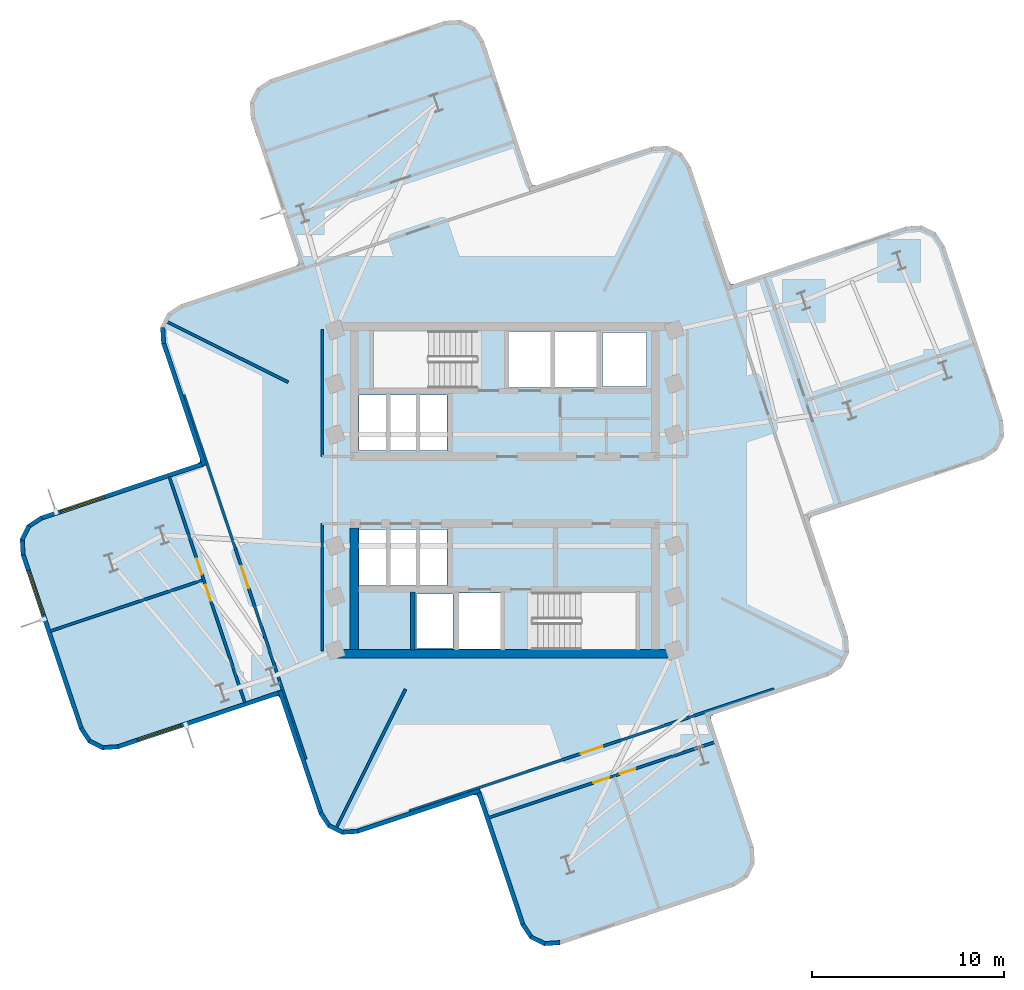
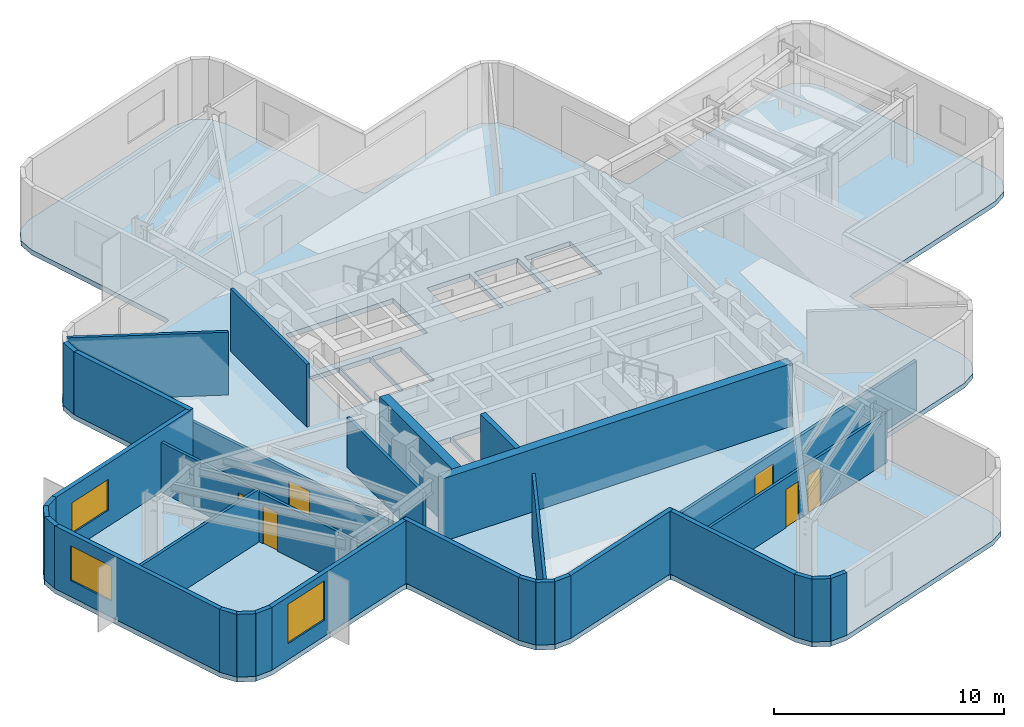
# One storey, part 2 of 8: 32 walls, 6 doors, 3 windows, 1 slab, 9 openings.
"""IFC4 building model written with IfcOpenShell, lengths in metres."""

from ifc_helpers import new_model, si_unit, direction, frame, frame_2d, origin, place, context, subcontext, project, spatial, polyline, rectangle, outline, extrude, material, layer, layer_set, type_object, element, fill, save


model = new_model("IFC4")

# Units and contexts
model_context = context("Model", 3, precision=1e-05, world=origin(), true_north=direction((0.0, 1.0)))
body_context = subcontext(model_context, "Body", "Model", "MODEL_VIEW")
ifc_project = project(units=[si_unit("LENGTHUNIT", "METRE"), si_unit("AREAUNIT", "SQUARE_METRE"), si_unit("VOLUMEUNIT", "CUBIC_METRE"), si_unit("PLANEANGLEUNIT", "RADIAN"), si_unit("MASSUNIT", "GRAM", prefix="KILO")], contexts=[model_context])

# Site, building, storey
site_placement = place(None, origin())
site = spatial("IfcSite", under=ifc_project, at=site_placement, CompositionType="ELEMENT")
building_placement = place(site_placement, origin())
building = spatial("IfcBuilding", under=site, at=building_placement, Name="Solmarez Civic Tower", CompositionType="ELEMENT")
storey_placement = place(building_placement, frame((0.0, 0.0, 159.47998046875)))
storey = spatial("IfcBuildingStorey", under=building, at=storey_placement, Name="L42", CompositionType="ELEMENT", Elevation=159.47998046875)

# Slab
ifc_material_1 = material(Name="Concrete C50/60", Category="concrete")
ifc_layer_1 = layer(ifc_material_1, 0.260009765625)
ifc_layer_set_1 = layer_set([ifc_layer_1], Name="Concrete C50/60")
slab_type = type_object("IfcSlabType", Name="SLAB-TOWER-260", PredefinedType="FLOOR", material=ifc_layer_set_1)
slab_placement = place(storey_placement, frame((0.0, 0.0, -0.260009765625)))
element("IfcSlab", 1, at=slab_placement, inside=storey, type_object=slab_type, Name="L42 Structural Slab", PredefinedType="FLOOR", context=body_context, shape_type="SweptSolid", body=[
    extrude(outline(polyline([(-11.700927734375, -10.885986328125), (-9.68896484375, -16.89794921875), (-9.23193359375, -17.587890625), (-8.490966796875, -17.9580078125), (-7.6640625, -17.906982421875), (-1.652099609375, -15.89599609375), (-1.48095703125, -15.885009765625), (-1.385986328125, -16.029052734375), (0.847900390625, -22.7041015625), (1.304931640625, -23.39501953125), (2.0458984375, -23.763916015625), (2.873046875, -23.714111328125), (11.97705078125, -20.66796875), (12.66796875, -20.2109375), (13.037109375, -19.468994140625), (12.987060546875, -18.64306640625), (10.7529296875, -11.967041015625), (10.741943359375, -11.794921875), (10.885986328125, -11.700927734375), (16.89794921875, -9.68896484375), (17.587890625, -9.23193359375), (17.9580078125, -8.490966796875), (17.906982421875, -7.6640625), (15.89599609375, -1.652099609375), (15.885009765625, -1.48095703125), (16.029052734375, -1.385986328125), (24.97998046875, 1.610107421875), (25.6708984375, 2.06689453125), (26.0400390625, 2.80810546875), (25.989990234375, 3.635009765625), (22.944091796875, 12.738037109375), (22.487060546875, 13.428955078125), (21.7451171875, 13.799072265625), (20.9189453125, 13.748046875), (11.967041015625, 10.7529296875), (11.794921875, 10.741943359375), (11.700927734375, 10.885986328125), (9.68896484375, 16.89794921875), (9.23193359375, 17.587890625), (8.490966796875, 17.9580078125), (7.6640625, 17.906982421875), (1.652099609375, 15.89599609375), (1.48095703125, 15.885009765625), (1.385986328125, 16.029052734375), (-1.10205078125, 23.462890625), (-1.55908203125, 24.154052734375), (-2.300048828125, 24.52294921875), (-3.126953125, 24.471923828125), (-12.23095703125, 21.426025390625), (-12.9208984375, 20.968994140625), (-13.291015625, 20.22802734375), (-13.239990234375, 19.40087890625), (-10.7529296875, 11.967041015625), (-10.741943359375, 11.794921875), (-10.885986328125, 11.700927734375), (-16.89794921875, 9.68896484375), (-17.587890625, 9.23193359375), (-17.9580078125, 8.490966796875), (-17.906982421875, 7.6640625), (-15.89599609375, 1.652099609375), (-15.885009765625, 1.48095703125), (-16.029052734375, 1.385986328125), (-24.221923828125, -1.35595703125), (-24.912109375, -1.81298828125), (-25.281982421875, -2.553955078125), (-25.23095703125, -3.381103515625), (-22.18505859375, -12.485107421875), (-21.72802734375, -13.175048828125), (-20.987060546875, -13.544921875), (-20.159912109375, -13.493896484375), (-11.967041015625, -10.7529296875), (-11.794921875, -10.741943359375), (-11.700927734375, -10.885986328125)]), holes=[polyline([(-1.449951171875, 8.320068359375), (-6.85009765625, 8.320068359375), (-6.85009765625, 5.320068359375), (-1.449951171875, 5.320068359375), (-1.449951171875, 8.320068359375)]), polyline([(1.449951171875, -8.320068359375), (6.85009765625, -8.320068359375), (6.85009765625, -5.320068359375), (1.449951171875, -5.320068359375), (1.449951171875, -8.320068359375)]), polyline([(0.219970703125, 5.360107421875), (2.3798828125, 5.360107421875), (2.3798828125, 8.280029296875), (0.219970703125, 8.280029296875), (0.219970703125, 5.360107421875)]), polyline([(2.6201171875, 5.360107421875), (4.780029296875, 5.360107421875), (4.780029296875, 8.280029296875), (2.6201171875, 8.280029296875), (2.6201171875, 5.360107421875)]), polyline([(-2.3798828125, -8.280029296875), (-0.219970703125, -8.280029296875), (-0.219970703125, -5.360107421875), (-2.3798828125, -5.360107421875), (-2.3798828125, -8.280029296875)]), polyline([(-7.60009765625, -4.9599609375), (-6.1201171875, -4.9599609375), (-6.1201171875, -2.06005859375), (-7.60009765625, -2.06005859375), (-7.60009765625, -4.9599609375)]), polyline([(-6.0400390625, -4.9599609375), (-4.56005859375, -4.9599609375), (-4.56005859375, -2.06005859375), (-6.0400390625, -2.06005859375), (-6.0400390625, -4.9599609375)]), polyline([(-4.47998046875, -4.9599609375), (-3.0, -4.9599609375), (-3.0, -2.06005859375), (-4.47998046875, -2.06005859375), (-4.47998046875, -4.9599609375)]), polyline([(-7.60009765625, 2.06005859375), (-6.1201171875, 2.06005859375), (-6.1201171875, 4.9599609375), (-7.60009765625, 4.9599609375), (-7.60009765625, 2.06005859375)]), polyline([(-6.0400390625, 2.06005859375), (-4.56005859375, 2.06005859375), (-4.56005859375, 4.9599609375), (-6.0400390625, 4.9599609375), (-6.0400390625, 2.06005859375)]), polyline([(-4.47998046875, 2.06005859375), (-3.0, 2.06005859375), (-3.0, 4.9599609375), (-4.47998046875, 4.9599609375), (-4.47998046875, 2.06005859375)]), polyline([(5.10009765625, 5.419921875), (7.39990234375, 5.419921875), (7.39990234375, 8.219970703125), (5.10009765625, 8.219970703125), (5.10009765625, 5.419921875)]), polyline([(-4.60009765625, -8.219970703125), (-2.699951171875, -8.219970703125), (-2.699951171875, -5.419921875), (-4.60009765625, -5.419921875), (-4.60009765625, -8.219970703125)])]), origin(), (0.0, 0.0, 1.0), 0.260009765625),
])

# Walls
ifc_layer_2 = layer(ifc_material_1, 0.449951171875)
ifc_layer_set_2 = layer_set([ifc_layer_2], Name="Concrete C50/60")
wall_type_1 = type_object("IfcWallType", Name="WALL-CORE-450", PredefinedType="SHEAR", material=ifc_layer_set_2)
wall_1_placement = place(storey_placement, frame((8.780029296875, -8.534912109375, 0.0), z_axis=(0.0, 0.0, 1.0), x_axis=(-1.0, 0.0, 0.0)))
element("IfcWall", 2, at=wall_1_placement, inside=storey, type_object=wall_type_1, Name="L42 Split-Core Structural Wall SCW-S-L42", PredefinedType="SHEAR", context=body_context, shape_type="SweptSolid", body=[
    extrude(rectangle(XDim=17.56005859375, YDim=0.449951171875, at=frame_2d((8.780029296875, 0.0))), origin(), (0.0, 0.0, 1.0), 3.340087890625),
])
wall_2_placement = place(storey_placement, frame((-7.844970703125, -8.31005859375, 0.0), z_axis=(0.0, 0.0, 1.0), x_axis=(0.0, 1.0, 0.0)))
element("IfcWall", 3, at=wall_2_placement, inside=storey, type_object=wall_type_1, Name="L42 Split-Core Structural Wall SCW-W-L42", PredefinedType="SHEAR", context=body_context, shape_type="SweptSolid", body=[
    extrude(rectangle(XDim=6.3349609375, YDim=0.449951171875, at=frame_2d((3.16748046875, 0.0))), origin(), (0.0, 0.0, 1.0), 3.340087890625),
])

# Wall, opening, window
ifc_material_2 = material(Name="Precast concrete C40/50", Category="concrete")
ifc_layer_3 = layer(ifc_material_2, 0.219970703125)
ifc_layer_set_3 = layer_set([ifc_layer_3], Name="Precast concrete C40/50")
wall_type_2 = type_object("IfcWallType", Name="WALL-EXT-220", PredefinedType="SOLIDWALL", material=ifc_layer_set_3)
wall_3_placement = place(storey_placement, frame((-11.614990234375, -10.51904296875, 0.0), z_axis=(0.0, 0.0, 1.0), x_axis=(-0.948329626758, -0.317286808759, 0.0)))
wall_3 = element("IfcWall", 4, at=wall_3_placement, inside=storey, type_object=wall_type_2, Name="L42 Exterior Precast Wall 2", PredefinedType="SOLIDWALL", context=body_context, shape_type="SweptSolid", body=[
    extrude(rectangle(XDim=9.05810546875, YDim=0.219970703125, at=frame_2d((4.529052734375, 0.0))), origin(), (0.0, 0.0, 1.0), 3.340087890625),
])
opening_1_placement = place(wall_3_placement, frame((5.55810546875, 0.0, 0.85009765625)))
opening_1 = element("IfcOpeningElement", 5, at=opening_1_placement, cuts=wall_3, Name="Opening W-02", PredefinedType="OPENING", context=body_context, shape_type="SweptSolid", body=[
    extrude(rectangle(XDim=2.39990234375, YDim=2.10009765625, at=frame_2d((1.199951171875, 1.050048828125))), frame((0.0, 0.119873046875, 0.0), z_axis=(0.0, -1.0, 0.0), x_axis=(1.0, 0.0, 0.0)), (0.0, 0.0, 1.0), 0.239990234375),
])
ifc_material_3 = material(Name="Solar Control Bronze-Tinted Insulating Glass", Category="glass")
window_type_1 = type_object("IfcWindowType", Name="WIN-2400X2100", PartitioningType="SINGLE_PANEL", PredefinedType="WINDOW", material=ifc_material_3)
window_1_placement = place(opening_1_placement, origin())
window_1 = element("IfcWindow", 6, at=window_1_placement, inside=storey, type_object=window_type_1, Name="L42 Exterior Facade Window 2", OverallHeight=2.10009765625, OverallWidth=2.39990234375, PartitioningType="SINGLE_PANEL", PredefinedType="WINDOW", context=body_context, shape_type="SweptSolid", body=[
    extrude(rectangle(XDim=2.39990234375, YDim=2.10009765625, at=frame_2d((1.199951171875, 1.050048828125))), frame((0.0, 0.030029296875, 0.0), z_axis=(0.0, -1.0, 0.0), x_axis=(1.0, 0.0, 0.0)), (0.0, 0.0, 1.0), 0.06005859375),
])
fill(opening_1, window_1)

# Walls
wall_4_placement = place(storey_placement, frame((-20.156005859375, -13.383056640625, 0.0), z_axis=(0.0, 0.0, 1.0), x_axis=(-0.998057128569, -0.062305442082, 0.0)))
element("IfcWall", 7, at=wall_4_placement, inside=storey, type_object=wall_type_2, Name="L42 Exterior Precast Wall 3", PredefinedType="SOLIDWALL", context=body_context, shape_type="SweptSolid", body=[
    extrude(rectangle(XDim=0.834716796875, YDim=0.219970703125, at=frame_2d((0.41748046875, 0.0))), origin(), (0.0, 0.0, 1.0), 3.340087890625),
])
wall_5_placement = place(storey_placement, frame((-20.94189453125, -13.444091796875, 0.0), z_axis=(0.0, 0.0, 1.0), x_axis=(-0.894963703084, 0.446138958356, 0.0)))
element("IfcWall", 8, at=wall_5_placement, inside=storey, type_object=wall_type_2, Name="L42 Exterior Precast Wall 4", PredefinedType="SOLIDWALL", context=body_context, shape_type="SweptSolid", body=[
    extrude(rectangle(XDim=0.818115234375, YDim=0.219970703125, at=frame_2d((0.4091796875, 0.0))), origin(), (0.0, 0.0, 1.0), 3.340087890625),
])
wall_6_placement = place(storey_placement, frame((-21.637939453125, -13.111083984375, 0.0), z_axis=(0.0, 0.0, 1.0), x_axis=(-0.552336300706, 0.833621383437, 0.0)))
element("IfcWall", 9, at=wall_6_placement, inside=storey, type_object=wall_type_2, Name="L42 Exterior Precast Wall 5", PredefinedType="SOLIDWALL", context=body_context, shape_type="SweptSolid", body=[
    extrude(rectangle(XDim=0.8349609375, YDim=0.219970703125, at=frame_2d((0.41748046875, 0.0))), origin(), (0.0, 0.0, 1.0), 3.340087890625),
])

# Wall, opening, window
wall_7_placement = place(storey_placement, frame((-22.076904296875, -12.4599609375, 0.0), z_axis=(0.0, 0.0, 1.0), x_axis=(-0.317285610931, 0.94833002752, 0.0)))
wall_7 = element("IfcWall", 10, at=wall_7_placement, inside=storey, type_object=wall_type_2, Name="L42 Exterior Precast Wall 6", PredefinedType="SOLIDWALL", context=body_context, shape_type="SweptSolid", body=[
    extrude(rectangle(XDim=9.6220703125, YDim=0.219970703125, at=frame_2d((4.81103515625, 0.0))), origin(), (0.0, 0.0, 1.0), 3.340087890625),
])
opening_2_placement = place(wall_7_placement, frame((6.304931640625, 0.0, 0.85009765625)))
opening_2 = element("IfcOpeningElement", 11, at=opening_2_placement, cuts=wall_7, Name="Opening W-06", PredefinedType="OPENING", context=body_context, shape_type="SweptSolid", body=[
    extrude(rectangle(XDim=2.39990234375, YDim=1.85009765625, at=frame_2d((1.199951171875, 0.925048828125))), frame((0.0, 0.119873046875, 0.0), z_axis=(0.0, -1.0, 0.0), x_axis=(1.0, 0.0, 0.0)), (0.0, 0.0, 1.0), 0.239990234375),
])
window_type_2 = type_object("IfcWindowType", Name="WIN-2400X1850", PartitioningType="SINGLE_PANEL", PredefinedType="WINDOW", material=ifc_material_3)
window_2_placement = place(opening_2_placement, origin())
window_2 = element("IfcWindow", 12, at=window_2_placement, inside=storey, type_object=window_type_2, Name="L42 Exterior Facade Window 6", OverallHeight=1.85009765625, OverallWidth=2.39990234375, PartitioningType="SINGLE_PANEL", PredefinedType="WINDOW", context=body_context, shape_type="SweptSolid", body=[
    extrude(rectangle(XDim=2.39990234375, YDim=1.85009765625, at=frame_2d((1.199951171875, 0.925048828125))), frame((0.0, 0.030029296875, 0.0), z_axis=(0.0, -1.0, 0.0), x_axis=(1.0, 0.0, 0.0)), (0.0, 0.0, 1.0), 0.06005859375),
])
fill(opening_2, window_2)

# Walls
wall_8_placement = place(storey_placement, frame((-25.1201171875, -3.384033203125, 0.0), z_axis=(0.0, 0.0, 1.0), x_axis=(-0.062378286155, 0.998052578483, 0.0)))
element("IfcWall", 13, at=wall_8_placement, inside=storey, type_object=wall_type_2, Name="L42 Exterior Precast Wall 7", PredefinedType="SOLIDWALL", context=body_context, shape_type="SweptSolid", body=[
    extrude(rectangle(XDim=0.833740234375, YDim=0.219970703125, at=frame_2d((0.4169921875, 0.0))), origin(), (0.0, 0.0, 1.0), 3.340087890625),
])
wall_9_placement = place(storey_placement, frame((-25.180908203125, -2.59912109375, 0.0), z_axis=(0.0, 0.0, 1.0), x_axis=(0.445662792415, 0.895200913459, 0.0)))
element("IfcWall", 14, at=wall_9_placement, inside=storey, type_object=wall_type_2, Name="L42 Exterior Precast Wall 8", PredefinedType="SOLIDWALL", context=body_context, shape_type="SweptSolid", body=[
    extrude(rectangle(XDim=0.819091796875, YDim=0.219970703125, at=frame_2d((0.40966796875, 0.0))), origin(), (0.0, 0.0, 1.0), 3.340087890625),
])
wall_10_placement = place(storey_placement, frame((-24.847900390625, -1.902099609375, 0.0), z_axis=(0.0, 0.0, 1.0), x_axis=(0.833532147948, 0.552470957008, 0.0)))
element("IfcWall", 15, at=wall_10_placement, inside=storey, type_object=wall_type_2, Name="L42 Exterior Precast Wall 9", PredefinedType="SOLIDWALL", context=body_context, shape_type="SweptSolid", body=[
    extrude(rectangle(XDim=0.834716796875, YDim=0.219970703125, at=frame_2d((0.41748046875, 0.0))), origin(), (0.0, 0.0, 1.0), 3.340087890625),
])

# Wall, opening, window
wall_11_placement = place(storey_placement, frame((-24.197021484375, -1.462890625, 0.0), z_axis=(0.0, 0.0, 1.0), x_axis=(0.948337736373, 0.31726256913, 0.0)))
wall_11 = element("IfcWall", 16, at=wall_11_placement, inside=storey, type_object=wall_type_2, Name="L42 Exterior Precast Wall 10", PredefinedType="SOLIDWALL", context=body_context, shape_type="SweptSolid", body=[
    extrude(rectangle(XDim=9.05810546875, YDim=0.219970703125, at=frame_2d((4.529052734375, 0.0))), origin(), (0.0, 0.0, 1.0), 3.340087890625),
])
opening_3_placement = place(wall_11_placement, frame((1.10009765625, 0.0, 0.85009765625)))
opening_3 = element("IfcOpeningElement", 17, at=opening_3_placement, cuts=wall_11, Name="Opening W-10", PredefinedType="OPENING", context=body_context, shape_type="SweptSolid", body=[
    extrude(rectangle(XDim=2.39990234375, YDim=1.64990234375, at=frame_2d((1.199951171875, 0.824951171875))), frame((0.0, 0.119873046875, 0.0), z_axis=(0.0, -1.0, 0.0), x_axis=(1.0, 0.0, 0.0)), (0.0, 0.0, 1.0), 0.239990234375),
])
window_type_3 = type_object("IfcWindowType", Name="WIN-2400X1650", PartitioningType="SINGLE_PANEL", PredefinedType="WINDOW", material=ifc_material_3)
window_3_placement = place(opening_3_placement, origin())
window_3 = element("IfcWindow", 18, at=window_3_placement, inside=storey, type_object=window_type_3, Name="L42 Exterior Facade Window 10", OverallHeight=1.64990234375, OverallWidth=2.39990234375, PartitioningType="SINGLE_PANEL", PredefinedType="WINDOW", context=body_context, shape_type="SweptSolid", body=[
    extrude(rectangle(XDim=2.39990234375, YDim=1.64990234375, at=frame_2d((1.199951171875, 0.824951171875))), frame((0.0, 0.030029296875, 0.0), z_axis=(0.0, -1.0, 0.0), x_axis=(1.0, 0.0, 0.0)), (0.0, 0.0, 1.0), 0.06005859375),
])
fill(opening_3, window_3)

# Walls
wall_12_placement = place(storey_placement, frame((-15.662109375, 1.300048828125, 0.0), z_axis=(0.0, 0.0, 1.0), x_axis=(-0.317224676093, 0.948350412494, 0.0)))
element("IfcWall", 19, at=wall_12_placement, inside=storey, type_object=wall_type_2, Name="L42 Exterior Precast Wall 13", PredefinedType="SOLIDWALL", context=body_context, shape_type="SweptSolid", body=[
    extrude(rectangle(XDim=6.758056640625, YDim=0.219970703125, at=frame_2d((3.37890625, 0.0))), origin(), (0.0, 0.0, 1.0), 3.340087890625),
])
for number, where, z_axis, x_axis, name in (
    (20, (-17.7958984375, 7.659912109375, 0.0), (0.0, 0.0, 1.0), (-0.062305442082, 0.998057128569, 0.0), "L42 Exterior Precast Wall 14"),
    (21, (2.876953125, -23.60302734375, 0.0), (0.0, 0.0, 1.0), (-0.998057128569, -0.062305442082, 0.0), "L42 Exterior Precast Wall 61"),
):
    element("IfcWall", number, at=place(storey_placement, frame(where, z_axis=z_axis, x_axis=x_axis)), inside=storey, type_object=wall_type_2, Name=name, PredefinedType="SOLIDWALL", context=body_context, shape_type="SweptSolid", body=[
        extrude(rectangle(XDim=0.834716796875, YDim=0.219970703125, at=frame_2d((0.41748046875, 0.0))), origin(), (0.0, 0.0, 1.0), 3.340087890625),
    ])
wall_13_placement = place(storey_placement, frame((2.091064453125, -23.6640625, 0.0), z_axis=(0.0, 0.0, 1.0), x_axis=(-0.894963703084, 0.446138958356, 0.0)))
element("IfcWall", 22, at=wall_13_placement, inside=storey, type_object=wall_type_2, Name="L42 Exterior Precast Wall 62", PredefinedType="SOLIDWALL", context=body_context, shape_type="SweptSolid", body=[
    extrude(rectangle(XDim=0.818115234375, YDim=0.219970703125, at=frame_2d((0.4091796875, 0.0))), origin(), (0.0, 0.0, 1.0), 3.340087890625),
])
wall_14_placement = place(storey_placement, frame((1.39501953125, -23.3310546875, 0.0), z_axis=(0.0, 0.0, 1.0), x_axis=(-0.552133058206, 0.833756011094, 0.0)))
element("IfcWall", 23, at=wall_14_placement, inside=storey, type_object=wall_type_2, Name="L42 Exterior Precast Wall 63", PredefinedType="SOLIDWALL", context=body_context, shape_type="SweptSolid", body=[
    extrude(rectangle(XDim=0.834716796875, YDim=0.219970703125, at=frame_2d((0.41748046875, 0.0))), origin(), (0.0, 0.0, 1.0), 3.340087890625),
])
wall_15_placement = place(storey_placement, frame((0.9560546875, -22.679931640625, 0.0), z_axis=(0.0, 0.0, 1.0), x_axis=(-0.317347016501, 0.948309480664, 0.0)))
element("IfcWall", 24, at=wall_15_placement, inside=storey, type_object=wall_type_2, Name="L42 Exterior Precast Wall 64", PredefinedType="SOLIDWALL", context=body_context, shape_type="SweptSolid", body=[
    extrude(rectangle(XDim=7.45849609375, YDim=0.219970703125, at=frame_2d((3.729248046875, 0.0))), origin(), (0.0, 0.0, 1.0), 3.340087890625),
])
wall_16_placement = place(storey_placement, frame((-1.300048828125, -15.662109375, 0.0), z_axis=(0.0, 0.0, 1.0), x_axis=(-0.948350412494, -0.317224676093, 0.0)))
element("IfcWall", 25, at=wall_16_placement, inside=storey, type_object=wall_type_2, Name="L42 Exterior Precast Wall 67", PredefinedType="SOLIDWALL", context=body_context, shape_type="SweptSolid", body=[
    extrude(rectangle(XDim=6.758056640625, YDim=0.219970703125, at=frame_2d((3.37890625, 0.0))), origin(), (0.0, 0.0, 1.0), 3.340087890625),
])
wall_17_placement = place(storey_placement, frame((-7.659912109375, -17.7958984375, 0.0), z_axis=(0.0, 0.0, 1.0), x_axis=(-0.998057128569, -0.062305442082, 0.0)))
element("IfcWall", 26, at=wall_17_placement, inside=storey, type_object=wall_type_2, Name="L42 Exterior Precast Wall 68", PredefinedType="SOLIDWALL", context=body_context, shape_type="SweptSolid", body=[
    extrude(rectangle(XDim=0.834716796875, YDim=0.219970703125, at=frame_2d((0.41748046875, 0.0))), origin(), (0.0, 0.0, 1.0), 3.340087890625),
])
wall_18_placement = place(storey_placement, frame((-8.446044921875, -17.85693359375, 0.0), z_axis=(0.0, 0.0, 1.0), x_axis=(-0.894904281631, 0.446258139106, 0.0)))
element("IfcWall", 27, at=wall_18_placement, inside=storey, type_object=wall_type_2, Name="L42 Exterior Precast Wall 69", PredefinedType="SOLIDWALL", context=body_context, shape_type="SweptSolid", body=[
    extrude(rectangle(XDim=0.81787109375, YDim=0.219970703125, at=frame_2d((0.408935546875, 0.0))), origin(), (0.0, 0.0, 1.0), 3.340087890625),
])
wall_19_placement = place(storey_placement, frame((-9.14208984375, -17.52392578125, 0.0), z_axis=(0.0, 0.0, 1.0), x_axis=(-0.552133058206, 0.833756011094, 0.0)))
element("IfcWall", 28, at=wall_19_placement, inside=storey, type_object=wall_type_2, Name="L42 Exterior Precast Wall 70", PredefinedType="SOLIDWALL", context=body_context, shape_type="SweptSolid", body=[
    extrude(rectangle(XDim=0.834716796875, YDim=0.219970703125, at=frame_2d((0.41748046875, 0.0))), origin(), (0.0, 0.0, 1.0), 3.340087890625),
])
wall_20_placement = place(storey_placement, frame((-9.5810546875, -16.873046875, 0.0), z_axis=(0.0, 0.0, 1.0), x_axis=(-0.317387116224, 0.94829606055, 0.0)))
element("IfcWall", 29, at=wall_20_placement, inside=storey, type_object=wall_type_2, Name="L42 Exterior Precast Wall 71", PredefinedType="SOLIDWALL", context=body_context, shape_type="SweptSolid", body=[
    extrude(rectangle(XDim=6.75830078125, YDim=0.219970703125, at=frame_2d((3.379150390625, 0.0))), origin(), (0.0, 0.0, 1.0), 3.340087890625),
])
ifc_material_4 = material(Name="Gypsum Board Acoustic Steel-Stud Partition", Category="steel")
ifc_layer_4 = layer(ifc_material_4, 0.14990234375)
ifc_layer_set_4 = layer_set([ifc_layer_4], Name="Gypsum Board Acoustic Steel-Stud Partition")
wall_type_3 = type_object("IfcWallType", Name="WALL-INT-FIRE-150", PredefinedType="PARTITIONING", material=ifc_layer_set_4)
wall_21_placement = place(storey_placement, frame((-9.52001953125, 1.75, 0.0), z_axis=(0.0, 0.0, 1.0), x_axis=(0.0, 1.0, 0.0)))
element("IfcWall", 30, at=wall_21_placement, inside=storey, type_object=wall_type_3, Name="L42 Interior Partition CHW-L42-WN1", PredefinedType="PARTITIONING", context=body_context, shape_type="SweptSolid", body=[
    extrude(rectangle(XDim=6.6298828125, YDim=0.14990234375, at=frame_2d((3.31494140625, 0.0))), origin(), (0.0, 0.0, 1.0), 3.340087890625),
])
wall_22_placement = place(storey_placement, frame((-9.52001953125, -8.3798828125, 0.0), z_axis=(0.0, 0.0, 1.0), x_axis=(0.0, 1.0, 0.0)))
element("IfcWall", 31, at=wall_22_placement, inside=storey, type_object=wall_type_3, Name="L42 Interior Partition CHW-L42-WS1", PredefinedType="PARTITIONING", context=body_context, shape_type="SweptSolid", body=[
    extrude(rectangle(XDim=6.6298828125, YDim=0.14990234375, at=frame_2d((3.31494140625, 0.0))), origin(), (0.0, 0.0, 1.0), 2.64404296875),
])
ifc_layer_5 = layer(ifc_material_4, 0.14501953125)
ifc_layer_set_5 = layer_set([ifc_layer_5], Name="Gypsum Board Acoustic Steel-Stud Partition")
wall_type_4 = type_object("IfcWallType", Name="WALL-INT-PART-150", PredefinedType="PARTITIONING", material=ifc_layer_set_5)
wall_23_placement = place(storey_placement, frame((-11.300048828125, 5.634033203125, 0.0), z_axis=(0.0, 0.0, 1.0), x_axis=(-0.894904738475, 0.446257222972, 0.0)))
element("IfcWall", 32, at=wall_23_placement, inside=storey, type_object=wall_type_4, Name="L42 Interior Partition PT-L42-QDIV-2", PredefinedType="PARTITIONING", context=body_context, shape_type="SweptSolid", body=[
    extrude(rectangle(XDim=7.047607421875, YDim=0.14501953125, at=frame_2d((3.52392578125, 0.0))), origin(), (0.0, 0.0, 1.0), 3.340087890625),
])
wall_24_placement = place(storey_placement, frame((-5.176025390625, -10.3798828125, 0.0), z_axis=(0.0, 0.0, 1.0), x_axis=(-0.446173290391, -0.894946587759, 0.0)))
element("IfcWall", 33, at=wall_24_placement, inside=storey, type_object=wall_type_4, Name="L42 Interior Partition PT-L42-QDIV-3", PredefinedType="PARTITIONING", context=body_context, shape_type="SweptSolid", body=[
    extrude(rectangle(XDim=8.075439453125, YDim=0.14501953125, at=frame_2d((4.03759765625, 0.0))), origin(), (0.0, 0.0, 1.0), 3.340087890625),
])

# Wall, opening, door
wall_25_placement = place(storey_placement, frame((-10.3720703125, -14.037109375, 0.0), z_axis=(0.0, 0.0, 1.0), x_axis=(-0.317298382655, 0.94832575435, 0.0)))
wall_25 = element("IfcWall", 34, at=wall_25_placement, inside=storey, type_object=wall_type_4, Name="L42 Interior Partition PT-L42-W-ENT", PredefinedType="PARTITIONING", context=body_context, shape_type="SweptSolid", body=[
    extrude(rectangle(XDim=20.040771484375, YDim=0.14501953125, at=frame_2d((10.0205078125, 0.0))), origin(), (0.0, 0.0, 1.0), 2.64404296875),
])
opening_4_placement = place(wall_25_placement, frame((9.419921875, 0.0, 0.0)))
opening_4 = element("IfcOpeningElement", 35, at=opening_4_placement, cuts=wall_25, Name="Opening D-11", PredefinedType="OPENING", context=body_context, shape_type="SweptSolid", body=[
    extrude(rectangle(XDim=1.199951171875, YDim=2.10009765625, at=frame_2d((0.60009765625, 1.050048828125))), frame((0.0, 0.08251953125, 0.0), z_axis=(0.0, -1.0, 0.0), x_axis=(1.0, 0.0, 0.0)), (0.0, 0.0, 1.0), 0.1650390625),
])
ifc_material_5 = material(Name="Glazed-Vision Acoustic Chamber Door", Category="wood")
door_type_1 = type_object("IfcDoorType", Name="DOOR-INT-1200", OperationType="NOTDEFINED", PredefinedType="DOOR", material=ifc_material_5)
door_1_placement = place(opening_4_placement, origin())
door_1 = element("IfcDoor", 36, at=door_1_placement, inside=storey, type_object=door_type_1, Name="L42 Security Control Room First West Door", OperationType="SINGLE_SWING_LEFT", OverallHeight=2.10009765625, OverallWidth=1.199951171875, PredefinedType="DOOR", context=body_context, shape_type="SweptSolid", body=[
    extrude(rectangle(XDim=1.199951171875, YDim=2.10009765625, at=frame_2d((0.60009765625, 1.050048828125))), frame((0.0, 0.02490234375, 0.0), z_axis=(0.0, -1.0, 0.0), x_axis=(1.0, 0.0, 0.0)), (0.0, 0.0, 1.0), 0.050048828125),
])
fill(opening_4, door_1)

# Wall
wall_26_placement = place(storey_placement, frame((-15.7548828125, -4.69189453125, 0.0), z_axis=(0.0, 0.0, 1.0), x_axis=(-0.948309976651, -0.31734553437, 0.0)))
element("IfcWall", 37, at=wall_26_placement, inside=storey, type_object=wall_type_4, Name="L42 Interior Partition PT-L42-W-TSP", PredefinedType="PARTITIONING", context=body_context, shape_type="SweptSolid", body=[
    extrude(rectangle(XDim=8.385498046875, YDim=0.14501953125, at=frame_2d((4.19287109375, 0.0))), origin(), (0.0, 0.0, 1.0), 2.79296875),
])

# Wall, openings, doors
wall_27_placement = place(storey_placement, frame((-17.49609375, 0.699951171875, 0.0), z_axis=(0.0, 0.0, 1.0), x_axis=(0.317299961245, -0.948325226172, 0.0)))
wall_27 = element("IfcWall", 38, at=wall_27_placement, inside=storey, type_object=wall_type_4, Name="L42 Interior Partition PT-L42-W-SCUT", PredefinedType="PARTITIONING", context=body_context, shape_type="SweptSolid", body=[
    extrude(rectangle(XDim=12.43017578125, YDim=0.14501953125, at=frame_2d((6.215087890625, 0.0))), origin(), (0.0, 0.0, 1.0), 2.64404296875),
])
opening_5_placement = place(wall_27_placement, frame((4.514892578125, 0.0, 0.0)))
opening_5 = element("IfcOpeningElement", 39, at=opening_5_placement, cuts=wall_27, Name="Opening D-14", PredefinedType="OPENING", context=body_context, shape_type="SweptSolid", body=[
    extrude(rectangle(XDim=0.860107421875, YDim=2.0400390625, at=frame_2d((0.43017578125, 1.02001953125))), frame((0.0, 0.08251953125, 0.0), z_axis=(0.0, -1.0, 0.0), x_axis=(1.0, 0.0, 0.0)), (0.0, 0.0, 1.0), 0.1650390625),
])
opening_6_placement = place(wall_27_placement, frame((5.955078125, 0.0, 0.0)))
opening_6 = element("IfcOpeningElement", 40, at=opening_6_placement, cuts=wall_27, Name="Opening D-14", PredefinedType="OPENING", context=body_context, shape_type="SweptSolid", body=[
    extrude(rectangle(XDim=0.860107421875, YDim=2.0400390625, at=frame_2d((0.43017578125, 1.02001953125))), frame((0.0, 0.08251953125, 0.0), z_axis=(0.0, -1.0, 0.0), x_axis=(1.0, 0.0, 0.0)), (0.0, 0.0, 1.0), 0.1650390625),
])
ifc_material_6 = material(Name="Timber Storage and Pantry Door", Category="wood")
door_type_2 = type_object("IfcDoorType", Name="DOOR-INT-850", OperationType="NOTDEFINED", PredefinedType="DOOR", material=ifc_material_6)
door_2_placement = place(opening_5_placement, origin())
door_2 = element("IfcDoor", 41, at=door_2_placement, inside=storey, type_object=door_type_2, Name="L42 Public Reception Room Third West Door", OperationType="SINGLE_SWING_RIGHT", OverallHeight=2.0400390625, OverallWidth=0.860107421875, PredefinedType="DOOR", context=body_context, shape_type="SweptSolid", body=[
    extrude(rectangle(XDim=0.860107421875, YDim=2.0400390625, at=frame_2d((0.43017578125, 1.02001953125))), frame((0.0, 0.02490234375, 0.0), z_axis=(0.0, -1.0, 0.0), x_axis=(1.0, 0.0, 0.0)), (0.0, 0.0, 1.0), 0.050048828125),
])
fill(opening_5, door_2)
door_3_placement = place(opening_6_placement, origin())
door_3 = element("IfcDoor", 42, at=door_3_placement, inside=storey, type_object=door_type_2, Name="L42 Ministry Conference Room Second West Door", OperationType="SINGLE_SWING_LEFT", OverallHeight=2.0400390625, OverallWidth=0.860107421875, PredefinedType="DOOR", context=body_context, shape_type="SweptSolid", body=[
    extrude(rectangle(XDim=0.860107421875, YDim=2.0400390625, at=frame_2d((0.43017578125, 1.02001953125))), frame((0.0, 0.02490234375, 0.0), z_axis=(0.0, -1.0, 0.0), x_axis=(1.0, 0.0, 0.0)), (0.0, 0.0, 1.0), 0.050048828125),
])
fill(opening_6, door_3)

# Wall, opening, door
wall_28_placement = place(storey_placement, frame((14.037109375, -10.3720703125, 0.0), z_axis=(0.0, 0.0, 1.0), x_axis=(-0.94832575435, -0.317298382655, 0.0)))
wall_28 = element("IfcWall", 43, at=wall_28_placement, inside=storey, type_object=wall_type_4, Name="L42 Interior Partition PT-L42-S-ENT", PredefinedType="PARTITIONING", context=body_context, shape_type="SweptSolid", body=[
    extrude(rectangle(XDim=20.040771484375, YDim=0.14501953125, at=frame_2d((10.0205078125, 0.0))), origin(), (0.0, 0.0, 1.0), 2.64404296875),
])
opening_7_placement = place(wall_28_placement, frame((9.419921875, 0.0, 0.0)))
opening_7 = element("IfcOpeningElement", 44, at=opening_7_placement, cuts=wall_28, Name="Opening D-11", PredefinedType="OPENING", context=body_context, shape_type="SweptSolid", body=[
    extrude(rectangle(XDim=1.199951171875, YDim=2.10009765625, at=frame_2d((0.60009765625, 1.050048828125))), frame((0.0, 0.08251953125, 0.0), z_axis=(0.0, -1.0, 0.0), x_axis=(1.0, 0.0, 0.0)), (0.0, 0.0, 1.0), 0.1650390625),
])
door_4_placement = place(opening_7_placement, origin())
door_4 = element("IfcDoor", 45, at=door_4_placement, inside=storey, type_object=door_type_1, Name="L42 Ministry Conference Room First South Door", OperationType="SINGLE_SWING_LEFT", OverallHeight=2.10009765625, OverallWidth=1.199951171875, PredefinedType="DOOR", context=body_context, shape_type="SweptSolid", body=[
    extrude(rectangle(XDim=1.199951171875, YDim=2.10009765625, at=frame_2d((0.60009765625, 1.050048828125))), frame((0.0, 0.02490234375, 0.0), z_axis=(0.0, -1.0, 0.0), x_axis=(1.0, 0.0, 0.0)), (0.0, 0.0, 1.0), 0.050048828125),
])
fill(opening_7, door_4)

# Wall, openings, doors
wall_29_placement = place(storey_placement, frame((-0.8359375, -17.087890625, 0.0), z_axis=(0.0, 0.0, 1.0), x_axis=(0.948331136084, 0.317282297544, 0.0)))
wall_29 = element("IfcWall", 46, at=wall_29_placement, inside=storey, type_object=wall_type_4, Name="L42 Interior Partition PT-L42-S-SCUT", PredefinedType="PARTITIONING", context=body_context, shape_type="SweptSolid", body=[
    extrude(rectangle(XDim=12.43017578125, YDim=0.14501953125, at=frame_2d((6.215087890625, 0.0))), origin(), (0.0, 0.0, 1.0), 2.64404296875),
])
opening_8_placement = place(wall_29_placement, frame((5.764892578125, 0.0, 0.0)))
opening_8 = element("IfcOpeningElement", 47, at=opening_8_placement, cuts=wall_29, Name="Opening D-14", PredefinedType="OPENING", context=body_context, shape_type="SweptSolid", body=[
    extrude(rectangle(XDim=0.860107421875, YDim=2.0400390625, at=frame_2d((0.43017578125, 1.02001953125))), frame((0.0, 0.08251953125, 0.0), z_axis=(0.0, -1.0, 0.0), x_axis=(1.0, 0.0, 0.0)), (0.0, 0.0, 1.0), 0.1650390625),
])
opening_9_placement = place(wall_29_placement, frame((7.2041015625, 0.0, 0.0)))
opening_9 = element("IfcOpeningElement", 48, at=opening_9_placement, cuts=wall_29, Name="Opening D-14", PredefinedType="OPENING", context=body_context, shape_type="SweptSolid", body=[
    extrude(rectangle(XDim=0.860107421875, YDim=2.0400390625, at=frame_2d((0.43017578125, 1.02001953125))), frame((0.0, 0.08251953125, 0.0), z_axis=(0.0, -1.0, 0.0), x_axis=(1.0, 0.0, 0.0)), (0.0, 0.0, 1.0), 0.1650390625),
])
door_5_placement = place(opening_8_placement, origin())
door_5 = element("IfcDoor", 49, at=door_5_placement, inside=storey, type_object=door_type_2, Name="L42 Security Control Room Third South Door", OperationType="SINGLE_SWING_RIGHT", OverallHeight=2.0400390625, OverallWidth=0.860107421875, PredefinedType="DOOR", context=body_context, shape_type="SweptSolid", body=[
    extrude(rectangle(XDim=0.860107421875, YDim=2.0400390625, at=frame_2d((0.43017578125, 1.02001953125))), frame((0.0, 0.02490234375, 0.0), z_axis=(0.0, -1.0, 0.0), x_axis=(1.0, 0.0, 0.0)), (0.0, 0.0, 1.0), 0.050048828125),
])
fill(opening_8, door_5)
door_6_placement = place(opening_9_placement, origin())
door_6 = element("IfcDoor", 50, at=door_6_placement, inside=storey, type_object=door_type_2, Name="L42 Delegation Concierge Room Second South Door", OperationType="SINGLE_SWING_LEFT", OverallHeight=2.0400390625, OverallWidth=0.860107421875, PredefinedType="DOOR", context=body_context, shape_type="SweptSolid", body=[
    extrude(rectangle(XDim=0.860107421875, YDim=2.0400390625, at=frame_2d((0.43017578125, 1.02001953125))), frame((0.0, 0.02490234375, 0.0), z_axis=(0.0, -1.0, 0.0), x_axis=(1.0, 0.0, 0.0)), (0.0, 0.0, 1.0), 0.050048828125),
])
fill(opening_9, door_6)

# Wall
ifc_layer_6 = layer(ifc_material_1, 0.300048828125)
ifc_layer_set_6 = layer_set([ifc_layer_6], Name="Concrete C50/60")
wall_type_5 = type_object("IfcWallType", Name="WALL-STR-300", PredefinedType="SOLIDWALL", material=ifc_layer_set_6)
wall_30_placement = place(storey_placement, frame((-4.800048828125, -8.340087890625, 0.0), z_axis=(0.0, 0.0, 1.0), x_axis=(0.0, 1.0, 0.0)))
element("IfcWall", 51, at=wall_30_placement, inside=storey, type_object=wall_type_5, Name="L42 Split-Core Structural Wall SHW-S3-L42", PredefinedType="SOLIDWALL", context=body_context, shape_type="SweptSolid", body=[
    extrude(rectangle(XDim=3.0400390625, YDim=0.25, at=frame_2d((1.52001953125, 0.0))), origin(), (0.0, 0.0, 1.0), 3.340087890625),
])

save(model, "model.ifc")
